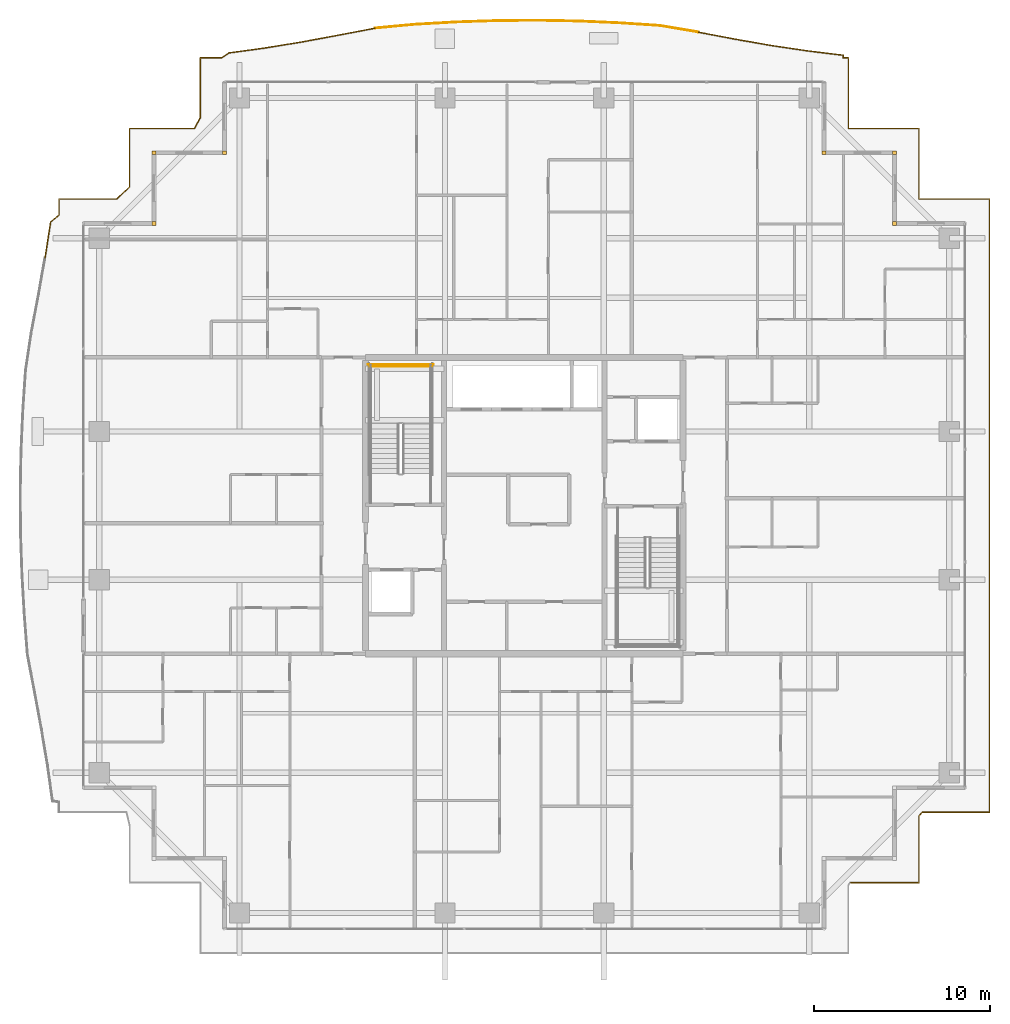
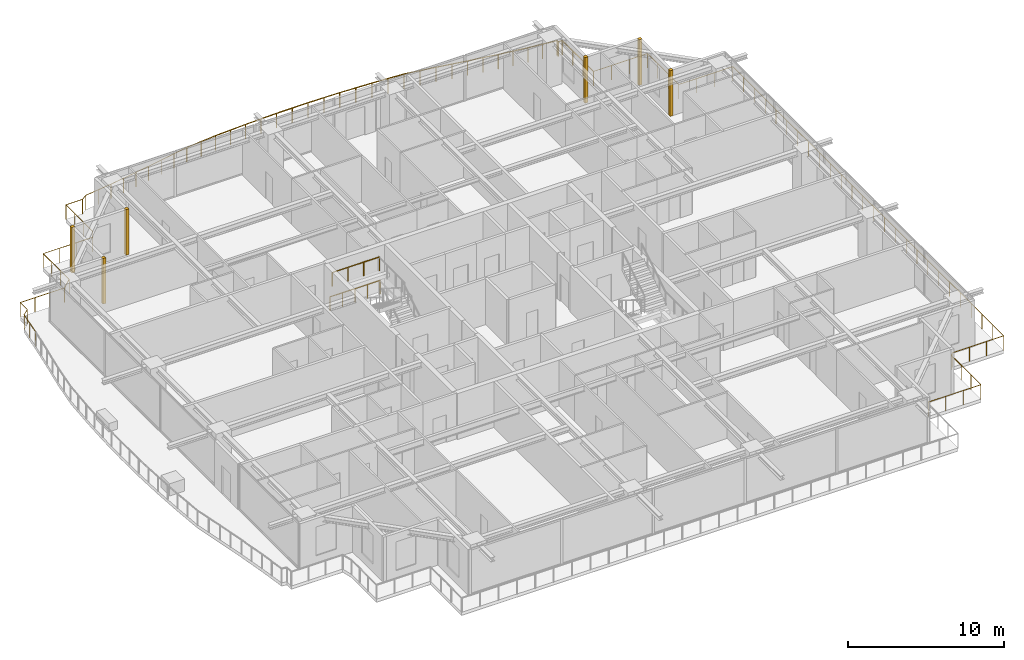
# One storey, part 39 of 39: 7 railings, 6 coverings.
"""IFC4 building model written with IfcOpenShell, lengths in metres."""

from ifc_helpers import new_model, si_unit, direction, frame, origin, origin_2d, place, context, subcontext, project, spatial, rectangle, circle, extrude, source, transform, mapped, material, layer, layer_set, type_object, element, save


model = new_model("IFC4")

# Units and contexts
model_context = context("Model", 3, precision=1e-05, world=origin(), true_north=direction((0.0, 1.0)))
body_context = subcontext(model_context, "Body", "Model", "MODEL_VIEW")
ifc_project = project(units=[si_unit("LENGTHUNIT", "METRE"), si_unit("AREAUNIT", "SQUARE_METRE"), si_unit("VOLUMEUNIT", "CUBIC_METRE"), si_unit("PLANEANGLEUNIT", "RADIAN"), si_unit("MASSUNIT", "GRAM", prefix="KILO")], contexts=[model_context])

# Site, building, storey
site_placement = place(None, origin())
site = spatial("IfcSite", under=ifc_project, at=site_placement, CompositionType="ELEMENT")
building_placement = place(site_placement, origin())
building = spatial("IfcBuilding", under=site, at=building_placement, Name="Serunith Strait Residences", CompositionType="ELEMENT")
storey_placement = place(building_placement, frame((0.0, 0.0, 222.0)))
storey = spatial("IfcBuildingStorey", under=building, at=storey_placement, Name="L55", CompositionType="ELEMENT", Elevation=222.0)

# Railings
ifc_material_1 = material(Name="Stainless Steel & Laminated Glass Balustrade", Category="steel")
railing_type_1 = type_object("IfcRailingType", Name="RLG-BALC-1150", PredefinedType="BALUSTRADE", material=ifc_material_1)
railing_1_placement = place(storey_placement, frame((5.22998046875, 39.23779296875, -0.050048828125)))
element("IfcRailing", 1, at=railing_1_placement, inside=storey, type_object=railing_type_1, Name="L55 Swirling Balcony Perimeter Balustrade 3", PredefinedType="BALUSTRADE", context=body_context, shape_type="SweptSolid", body=[
    extrude(circle(Radius=0.02392578125, at=origin_2d()), frame((0.000244140625, 0.001953125, 1.1259765625), z_axis=(0.151619990776, 0.98843885921, 0.0), x_axis=(-0.98843885921, 0.151619990776, 0.0)), (0.0, 0.0, 1.0), 2.05224609375),
    extrude(circle(Radius=0.02392578125, at=origin_2d()), frame((0.313232421875, 2.03369140625, 1.1259765625), z_axis=(0.765620167845, 0.643292902641, 0.0), x_axis=(-0.643292902641, 0.765620167845, 0.0)), (0.0, 0.0, 1.0), 0.62060546875),
    extrude(circle(Radius=0.02392578125, at=origin_2d()), frame((0.7900390625, 2.436279296875, 1.1259765625), z_axis=(0.0, 1.0, 0.0), x_axis=(-1.0, 0.0, 0.0)), (0.0, 0.0, 1.0), 0.904052734375),
    extrude(circle(Radius=0.02392578125, at=origin_2d()), frame((0.7919921875, 3.34228515625, 1.1259765625), z_axis=(1.0, 0.0, 0.0), x_axis=(0.0, 1.0, 0.0)), (0.0, 0.0, 1.0), 3.2705078125),
    extrude(circle(Radius=0.02392578125, at=origin_2d()), frame((4.06591796875, 3.34375, 1.1259765625), z_axis=(0.73263543365, 0.680621276012, 0.0), x_axis=(-0.680621276012, 0.73263543365, 0.0)), (0.0, 0.0, 1.0), 0.986328125),
    extrude(circle(Radius=0.02392578125, at=origin_2d()), frame((4.7900390625, 4.018310546875, 1.1259765625), z_axis=(0.0, 1.0, 0.0), x_axis=(-1.0, 0.0, 0.0)), (0.0, 0.0, 1.0), 3.322021484375),
    extrude(circle(Radius=0.02392578125, at=origin_2d()), frame((4.7919921875, 7.34228515625, 1.1259765625), z_axis=(1.0, 0.0, 0.0), x_axis=(0.0, 1.0, 0.0)), (0.0, 0.0, 1.0), 3.67236328125),
    extrude(circle(Radius=0.02099609375, at=origin_2d()), origin(), (0.0, 0.0, 1.0), 1.099853515625),
    extrude(circle(Radius=0.02099609375, at=origin_2d()), frame((0.15576171875, 1.01611328125, 0.0)), (0.0, 0.0, 1.0), 1.099853515625),
    extrude(circle(Radius=0.02099609375, at=origin_2d()), frame((0.311767578125, 2.032470703125, 0.0)), (0.0, 0.0, 1.0), 1.099853515625),
    extrude(circle(Radius=0.02099609375, at=origin_2d()), frame((0.7900390625, 2.434326171875, 0.0)), (0.0, 0.0, 1.0), 1.099853515625),
    extrude(circle(Radius=0.02099609375, at=origin_2d()), frame((0.7900390625, 3.34228515625, 0.0)), (0.0, 0.0, 1.0), 1.099853515625),
    extrude(circle(Radius=0.02099609375, at=origin_2d()), frame((1.881591796875, 3.34228515625, 0.0)), (0.0, 0.0, 1.0), 1.099853515625),
    extrude(circle(Radius=0.02099609375, at=origin_2d()), frame((2.972900390625, 3.34228515625, 0.0)), (0.0, 0.0, 1.0), 1.099853515625),
    extrude(circle(Radius=0.02099609375, at=origin_2d()), frame((4.064453125, 3.34228515625, 0.0)), (0.0, 0.0, 1.0), 1.099853515625),
    extrude(circle(Radius=0.02099609375, at=origin_2d()), frame((4.7900390625, 4.016357421875, 0.0)), (0.0, 0.0, 1.0), 1.099853515625),
    extrude(circle(Radius=0.02099609375, at=origin_2d()), frame((4.7900390625, 5.125, 0.0)), (0.0, 0.0, 1.0), 1.099853515625),
    extrude(circle(Radius=0.02099609375, at=origin_2d()), frame((4.7900390625, 6.233642578125, 0.0)), (0.0, 0.0, 1.0), 1.099853515625),
    extrude(circle(Radius=0.02099609375, at=origin_2d()), frame((4.7900390625, 7.34228515625, 0.0)), (0.0, 0.0, 1.0), 1.099853515625),
    extrude(circle(Radius=0.02099609375, at=origin_2d()), frame((6.015380859375, 7.34228515625, 0.0)), (0.0, 0.0, 1.0), 1.099853515625),
    extrude(circle(Radius=0.02099609375, at=origin_2d()), frame((7.240966796875, 7.34228515625, 0.0)), (0.0, 0.0, 1.0), 1.099853515625),
    extrude(circle(Radius=0.02099609375, at=origin_2d()), frame((8.46630859375, 7.34228515625, 0.0)), (0.0, 0.0, 1.0), 1.099853515625),
])
railing_2_placement = place(storey_placement, frame((13.6962890625, 46.580078125, -0.050048828125)))
element("IfcRailing", 2, at=railing_2_placement, inside=storey, type_object=railing_type_1, Name="L55 Swirling Balcony Perimeter Balustrade 4", PredefinedType="BALUSTRADE", context=body_context, shape_type="SweptSolid", body=[
    extrude(circle(Radius=0.02392578125, at=origin_2d()), frame((0.0009765625, 0.001708984375, 1.1259765625), z_axis=(0.484990648615, 0.874519336982, 0.0), x_axis=(-0.874519336982, 0.484990648615, 0.0)), (0.0, 0.0, 1.0), 0.66357421875),
    extrude(circle(Radius=0.02392578125, at=origin_2d()), frame((0.32373046875, 0.585693359375, 1.1259765625), z_axis=(0.0, 1.0, 0.0), x_axis=(-1.0, 0.0, 0.0)), (0.0, 0.0, 1.0), 3.412353515625),
    extrude(circle(Radius=0.02392578125, at=origin_2d()), frame((0.32568359375, 4.0, 1.1259765625), z_axis=(1.0, 0.0, 0.0), x_axis=(0.0, 1.0, 0.0)), (0.0, 0.0, 1.0), 1.217529296875),
    extrude(circle(Radius=0.02392578125, at=origin_2d()), frame((1.546875, 4.001220703125, 1.1259765625), z_axis=(0.821979119686, 0.569517626417, 0.0), x_axis=(-0.569517626417, 0.821979119686, 0.0)), (0.0, 0.0, 1.0), 0.4912109375),
    extrude(circle(Radius=0.02392578125, at=origin_2d()), frame((1.9541015625, 4.2822265625, 1.1259765625), z_axis=(0.990806902466, 0.135283709387, 0.0), x_axis=(-0.135283709387, 0.990806902466, 0.0)), (0.0, 0.0, 1.0), 2.040771484375),
    extrude(circle(Radius=0.02392578125, at=origin_2d()), frame((3.97998046875, 4.558837890625, 1.1259765625), z_axis=(0.986908016279, 0.161284120125, 0.0), x_axis=(-0.161284120125, 0.986908016279, 0.0)), (0.0, 0.0, 1.0), 2.068359375),
    extrude(circle(Radius=0.02392578125, at=origin_2d()), frame((6.025146484375, 4.89306640625, 1.1259765625), z_axis=(0.983439131303, 0.181238723846, 0.0), x_axis=(-0.181238723846, 0.983439131303, 0.0)), (0.0, 0.0, 1.0), 2.113525390625),
    extrude(circle(Radius=0.02392578125, at=origin_2d()), frame((8.107666015625, 5.277099609375, 1.1259765625), z_axis=(0.982184246613, 0.187920477076, 0.0), x_axis=(-0.187920477076, 0.982184246613, 0.0)), (0.0, 0.0, 1.0), 2.1748046875),
    extrude(circle(Radius=0.02099609375, at=origin_2d()), origin(), (0.0, 0.0, 1.0), 1.099853515625),
    extrude(circle(Radius=0.02099609375, at=origin_2d()), frame((0.32373046875, 0.583740234375, 0.0)), (0.0, 0.0, 1.0), 1.099853515625),
    extrude(circle(Radius=0.02099609375, at=origin_2d()), frame((0.32373046875, 1.722412109375, 0.0)), (0.0, 0.0, 1.0), 1.099853515625),
    extrude(circle(Radius=0.02099609375, at=origin_2d()), frame((0.32373046875, 2.861328125, 0.0)), (0.0, 0.0, 1.0), 1.099853515625),
    extrude(circle(Radius=0.02099609375, at=origin_2d()), frame((0.32373046875, 4.0, 0.0)), (0.0, 0.0, 1.0), 1.099853515625),
    extrude(circle(Radius=0.02099609375, at=origin_2d()), frame((1.545166015625, 4.0, 0.0)), (0.0, 0.0, 1.0), 1.099853515625),
    extrude(circle(Radius=0.02099609375, at=origin_2d()), frame((1.9521484375, 4.281982421875, 0.0)), (0.0, 0.0, 1.0), 1.099853515625),
    extrude(circle(Radius=0.02099609375, at=origin_2d()), frame((2.965087890625, 4.42041015625, 0.0)), (0.0, 0.0, 1.0), 1.099853515625),
    extrude(circle(Radius=0.02099609375, at=origin_2d()), frame((3.97802734375, 4.55859375, 0.0)), (0.0, 0.0, 1.0), 1.099853515625),
    extrude(circle(Radius=0.02099609375, at=origin_2d()), frame((5.00048828125, 4.7255859375, 0.0)), (0.0, 0.0, 1.0), 1.099853515625),
    extrude(circle(Radius=0.02099609375, at=origin_2d()), frame((6.023193359375, 4.892822265625, 0.0)), (0.0, 0.0, 1.0), 1.099853515625),
    extrude(circle(Radius=0.02099609375, at=origin_2d()), frame((7.064453125, 5.084716796875, 0.0)), (0.0, 0.0, 1.0), 1.099853515625),
    extrude(circle(Radius=0.02099609375, at=origin_2d()), frame((8.105712890625, 5.276611328125, 0.0)), (0.0, 0.0, 1.0), 1.099853515625),
    extrude(circle(Radius=0.02099609375, at=origin_2d()), frame((9.17578125, 5.4814453125, 0.0)), (0.0, 0.0, 1.0), 1.099853515625),
    extrude(circle(Radius=0.02099609375, at=origin_2d()), frame((10.24560546875, 5.68603515625, 0.0)), (0.0, 0.0, 1.0), 1.099853515625),
])
railing_3_placement = place(storey_placement, frame((23.94189453125, 52.26611328125, -0.050048828125)))
element("IfcRailing", 3, at=railing_3_placement, inside=storey, type_object=railing_type_1, Name="L55 Swirling Balcony Perimeter Balustrade 5", PredefinedType="BALUSTRADE", context=body_context, shape_type="SweptSolid", body=[
    extrude(circle(Radius=0.02392578125, at=origin_2d()), frame((0.001953125, 0.000244140625, 1.1259765625), z_axis=(0.995732605579, 0.092285308616, 0.0), x_axis=(-0.092285308616, 0.995732605579, 0.0)), (0.0, 0.0, 1.0), 2.260498046875),
    extrude(circle(Radius=0.02392578125, at=origin_2d()), frame((2.2568359375, 0.208984375, 1.1259765625), z_axis=(0.998375468078, 0.056977405519, 0.0), x_axis=(-0.056977405519, 0.998375468078, 0.0)), (0.0, 0.0, 1.0), 2.30126953125),
    extrude(circle(Radius=0.02392578125, at=origin_2d()), frame((4.558349609375, 0.34033203125, 1.1259765625), z_axis=(0.999426247992, 0.033869969374, 0.0), x_axis=(-0.033869969374, 0.999426247992, 0.0)), (0.0, 0.0, 1.0), 2.32421875),
    extrude(circle(Radius=0.02392578125, at=origin_2d()), frame((6.88525390625, 0.419189453125, 1.1259765625), z_axis=(0.999967700233, 0.008037318676, 0.0), x_axis=(-0.008037318676, 0.999967700233, 0.0)), (0.0, 0.0, 1.0), 2.3349609375),
    extrude(circle(Radius=0.02392578125, at=origin_2d()), frame((9.22412109375, 0.43798828125, 1.1259765625), z_axis=(0.999824864715, -0.018714697353, 0.0), x_axis=(0.018714697353, 0.999824864715, 0.0)), (0.0, 0.0, 1.0), 2.3310546875),
    extrude(circle(Radius=0.02392578125, at=origin_2d()), frame((11.558837890625, 0.394287109375, 1.1259765625), z_axis=(0.999025914925, -0.04412733063, 0.0), x_axis=(0.04412733063, 0.999025914925, 0.0)), (0.0, 0.0, 1.0), 2.314208984375),
    extrude(circle(Radius=0.02392578125, at=origin_2d()), frame((13.874755859375, 0.291748046875, 1.1259765625), z_axis=(0.997811971728, -0.066115573632, 0.0), x_axis=(0.066115573632, 0.997811971728, 0.0)), (0.0, 0.0, 1.0), 2.285400390625),
    extrude(circle(Radius=0.02392578125, at=origin_2d()), frame((16.1591796875, 0.140380859375, 1.1259765625), z_axis=(0.986006040396, -0.166709592712, 0.0), x_axis=(0.166709592712, 0.986006040396, 0.0)), (0.0, 0.0, 1.0), 2.205810546875),
    extrude(circle(Radius=0.02099609375, at=origin_2d()), origin(), (0.0, 0.0, 1.0), 1.099853515625),
    extrude(circle(Radius=0.02099609375, at=origin_2d()), frame((1.12744140625, 0.1044921875, 0.0)), (0.0, 0.0, 1.0), 1.099853515625),
    extrude(circle(Radius=0.02099609375, at=origin_2d()), frame((2.2548828125, 0.208984375, 0.0)), (0.0, 0.0, 1.0), 1.099853515625),
    extrude(circle(Radius=0.02099609375, at=origin_2d()), frame((3.40576171875, 0.274658203125, 0.0)), (0.0, 0.0, 1.0), 1.099853515625),
    extrude(circle(Radius=0.02099609375, at=origin_2d()), frame((4.556396484375, 0.34033203125, 0.0)), (0.0, 0.0, 1.0), 1.099853515625),
    extrude(circle(Radius=0.02099609375, at=origin_2d()), frame((5.7197265625, 0.3798828125, 0.0)), (0.0, 0.0, 1.0), 1.099853515625),
    extrude(circle(Radius=0.02099609375, at=origin_2d()), frame((6.88330078125, 0.419189453125, 0.0)), (0.0, 0.0, 1.0), 1.099853515625),
    extrude(circle(Radius=0.02099609375, at=origin_2d()), frame((8.052734375, 0.4287109375, 0.0)), (0.0, 0.0, 1.0), 1.099853515625),
    extrude(circle(Radius=0.02099609375, at=origin_2d()), frame((9.22216796875, 0.43798828125, 0.0)), (0.0, 0.0, 1.0), 1.099853515625),
    extrude(circle(Radius=0.02099609375, at=origin_2d()), frame((10.3896484375, 0.416015625, 0.0)), (0.0, 0.0, 1.0), 1.099853515625),
    extrude(circle(Radius=0.02099609375, at=origin_2d()), frame((11.556884765625, 0.394287109375, 0.0)), (0.0, 0.0, 1.0), 1.099853515625),
    extrude(circle(Radius=0.02099609375, at=origin_2d()), frame((12.71484375, 0.34326171875, 0.0)), (0.0, 0.0, 1.0), 1.099853515625),
    extrude(circle(Radius=0.02099609375, at=origin_2d()), frame((13.872802734375, 0.2919921875, 0.0)), (0.0, 0.0, 1.0), 1.099853515625),
    extrude(circle(Radius=0.02099609375, at=origin_2d()), frame((15.01513671875, 0.21630859375, 0.0)), (0.0, 0.0, 1.0), 1.099853515625),
    extrude(circle(Radius=0.02099609375, at=origin_2d()), frame((16.1572265625, 0.140625, 0.0)), (0.0, 0.0, 1.0), 1.099853515625),
    extrude(circle(Radius=0.02099609375, at=origin_2d()), frame((17.24658203125, -0.04345703125, 0.0)), (0.0, 0.0, 1.0), 1.099853515625),
    extrude(circle(Radius=0.02099609375, at=origin_2d()), frame((18.336181640625, -0.227783203125, 0.0)), (0.0, 0.0, 1.0), 1.099853515625),
])
railing_4_placement = place(storey_placement, frame((42.278076171875, 52.038330078125, -0.050048828125)))
element("IfcRailing", 4, at=railing_4_placement, inside=storey, type_object=railing_type_1, Name="L55 Swirling Balcony Perimeter Balustrade 6", PredefinedType="BALUSTRADE", context=body_context, shape_type="SweptSolid", body=[
    extrude(circle(Radius=0.02392578125, at=origin_2d()), frame((0.001953125, -0.00048828125, 1.1259765625), z_axis=(0.982355541245, -0.187022968068, 0.0), x_axis=(0.187022968068, 0.982355541245, 0.0)), (0.0, 0.0, 1.0), 2.135498046875),
    extrude(circle(Radius=0.02392578125, at=origin_2d()), frame((2.103759765625, -0.400390625, 1.1259765625), z_axis=(0.985123187896, -0.171849657169, 0.0), x_axis=(0.171849657169, 0.985123187896, 0.0)), (0.0, 0.0, 1.0), 2.0830078125),
    extrude(circle(Radius=0.02392578125, at=origin_2d()), frame((4.15966796875, -0.759033203125, 1.1259765625), z_axis=(0.989062503974, -0.147496993978, 0.0), x_axis=(0.147496993978, 0.989062503974, 0.0)), (0.0, 0.0, 1.0), 2.048583984375),
    extrude(circle(Radius=0.02392578125, at=origin_2d()), frame((6.189697265625, -1.061767578125, 1.1259765625), z_axis=(0.992741600687, -0.120266846075, 0.0), x_axis=(0.120266846075, 0.992741600687, 0.0)), (0.0, 0.0, 1.0), 2.030029296875),
    extrude(circle(Radius=0.02392578125, at=origin_2d()), frame((8.20703125, -1.30810546875, 1.1259765625), z_axis=(-0.008025423722, -0.999967795768, 0.0), x_axis=(0.999967795768, -0.008025423722, 0.0)), (0.0, 0.0, 1.0), 0.148193359375),
    extrude(circle(Radius=0.02392578125, at=origin_2d()), frame((8.207763671875, -1.458251953125, 1.1259765625), z_axis=(1.0, 0.0, 0.0), x_axis=(0.0, 1.0, 0.0)), (0.0, 0.0, 1.0), 0.292236328125),
    extrude(circle(Radius=0.02392578125, at=origin_2d()), frame((8.501953125, -1.460205078125, 1.1259765625), z_axis=(0.0, -1.0, 0.0), x_axis=(1.0, 0.0, 0.0)), (0.0, 0.0, 1.0), 3.99609375),
    extrude(circle(Radius=0.02099609375, at=origin_2d()), origin(), (0.0, 0.0, 1.0), 1.099853515625),
    extrude(circle(Radius=0.02099609375, at=origin_2d()), frame((1.05078125, -0.2001953125, 0.0)), (0.0, 0.0, 1.0), 1.099853515625),
    extrude(circle(Radius=0.02099609375, at=origin_2d()), frame((2.101806640625, -0.400146484375, 0.0)), (0.0, 0.0, 1.0), 1.099853515625),
    extrude(circle(Radius=0.02099609375, at=origin_2d()), frame((3.1298828125, -0.57958984375, 0.0)), (0.0, 0.0, 1.0), 1.099853515625),
    extrude(circle(Radius=0.02099609375, at=origin_2d()), frame((4.15771484375, -0.7587890625, 0.0)), (0.0, 0.0, 1.0), 1.099853515625),
    extrude(circle(Radius=0.02099609375, at=origin_2d()), frame((5.1728515625, -0.91015625, 0.0)), (0.0, 0.0, 1.0), 1.099853515625),
    extrude(circle(Radius=0.02099609375, at=origin_2d()), frame((6.187744140625, -1.0615234375, 0.0)), (0.0, 0.0, 1.0), 1.099853515625),
    extrude(circle(Radius=0.02099609375, at=origin_2d()), frame((7.197265625, -1.183837890625, 0.0)), (0.0, 0.0, 1.0), 1.099853515625),
    extrude(circle(Radius=0.02099609375, at=origin_2d()), frame((8.20703125, -1.30615234375, 0.0)), (0.0, 0.0, 1.0), 1.099853515625),
    extrude(circle(Radius=0.02099609375, at=origin_2d()), frame((8.205810546875, -1.458251953125, 0.0)), (0.0, 0.0, 1.0), 1.099853515625),
    extrude(circle(Radius=0.02099609375, at=origin_2d()), frame((8.501953125, -1.458251953125, 0.0)), (0.0, 0.0, 1.0), 1.099853515625),
    extrude(circle(Radius=0.02099609375, at=origin_2d()), frame((8.501953125, -2.79150390625, 0.0)), (0.0, 0.0, 1.0), 1.099853515625),
    extrude(circle(Radius=0.02099609375, at=origin_2d()), frame((8.501953125, -4.125, 0.0)), (0.0, 0.0, 1.0), 1.099853515625),
    extrude(circle(Radius=0.02099609375, at=origin_2d()), frame((8.501953125, -5.458251953125, 0.0)), (0.0, 0.0, 1.0), 1.099853515625),
])
railing_5_placement = place(storey_placement, frame((50.780029296875, 46.580078125, -0.050048828125)))
element("IfcRailing", 5, at=railing_5_placement, inside=storey, type_object=railing_type_1, Name="L55 Swirling Balcony Perimeter Balustrade 7", PredefinedType="BALUSTRADE", context=body_context, shape_type="SweptSolid", body=[
    extrude(circle(Radius=0.02392578125, at=origin_2d()), frame((0.001953125, 0.0, 1.1259765625), z_axis=(1.0, 0.0, 0.0), x_axis=(0.0, 1.0, 0.0)), (0.0, 0.0, 1.0), 3.99609375),
    extrude(circle(Radius=0.02392578125, at=origin_2d()), frame((4.0, -0.001953125, 1.1259765625), z_axis=(0.0, -1.0, 0.0), x_axis=(1.0, 0.0, 0.0)), (0.0, 0.0, 1.0), 3.99609375),
    extrude(circle(Radius=0.02392578125, at=origin_2d()), frame((4.001953125, -4.0, 1.1259765625), z_axis=(1.0, 0.0, 0.0), x_axis=(0.0, 1.0, 0.0)), (0.0, 0.0, 1.0), 3.99609375),
    extrude(circle(Radius=0.02392578125, at=origin_2d()), frame((8.0, -4.001953125, 1.1259765625), z_axis=(0.0, -1.0, 0.0), x_axis=(1.0, 0.0, 0.0)), (0.0, 0.0, 1.0), 34.756103515625),
    extrude(circle(Radius=0.02392578125, at=origin_2d()), frame((7.998046875, -38.760009765625, 1.1259765625), z_axis=(-1.0, 0.0, 0.0), x_axis=(0.0, -1.0, 0.0)), (0.0, 0.0, 1.0), 3.801025390625),
    extrude(circle(Radius=0.02392578125, at=origin_2d()), frame((4.19384765625, -38.761474609375, 1.1259765625), z_axis=(-0.659789800433, -0.751450210756, 0.0), x_axis=(0.751450210756, -0.659789800433, 0.0)), (0.0, 0.0, 1.0), 0.291748046875),
    extrude(circle(Radius=0.02392578125, at=origin_2d()), frame((4.0, -38.984130859375, 1.1259765625), z_axis=(0.0, -1.0, 0.0), x_axis=(1.0, 0.0, 0.0)), (0.0, 0.0, 1.0), 3.77392578125),
    extrude(circle(Radius=0.02392578125, at=origin_2d()), frame((3.998046875, -42.760009765625, 1.1259765625), z_axis=(-1.0, 0.0, 0.0), x_axis=(0.0, -1.0, 0.0)), (0.0, 0.0, 1.0), 3.89501953125),
    extrude(circle(Radius=0.02099609375, at=origin_2d()), origin(), (0.0, 0.0, 1.0), 1.099853515625),
    extrude(circle(Radius=0.02099609375, at=origin_2d()), frame((1.333251953125, 0.0, 0.0)), (0.0, 0.0, 1.0), 1.099853515625),
    extrude(circle(Radius=0.02099609375, at=origin_2d()), frame((2.666748046875, 0.0, 0.0)), (0.0, 0.0, 1.0), 1.099853515625),
    extrude(circle(Radius=0.02099609375, at=origin_2d()), frame((4.0, 0.0, 0.0)), (0.0, 0.0, 1.0), 1.099853515625),
    extrude(circle(Radius=0.02099609375, at=origin_2d()), frame((4.0, -1.333251953125, 0.0)), (0.0, 0.0, 1.0), 1.099853515625),
    extrude(circle(Radius=0.02099609375, at=origin_2d()), frame((4.0, -2.666748046875, 0.0)), (0.0, 0.0, 1.0), 1.099853515625),
    extrude(circle(Radius=0.02099609375, at=origin_2d()), frame((4.0, -4.0, 0.0)), (0.0, 0.0, 1.0), 1.099853515625),
    extrude(circle(Radius=0.02099609375, at=origin_2d()), frame((5.333251953125, -4.0, 0.0)), (0.0, 0.0, 1.0), 1.099853515625),
    extrude(circle(Radius=0.02099609375, at=origin_2d()), frame((6.666748046875, -4.0, 0.0)), (0.0, 0.0, 1.0), 1.099853515625),
    extrude(circle(Radius=0.02099609375, at=origin_2d()), frame((8.0, -4.0, 0.0)), (0.0, 0.0, 1.0), 1.099853515625),
    extrude(circle(Radius=0.02099609375, at=origin_2d()), frame((8.0, -5.390380859375, 0.0)), (0.0, 0.0, 1.0), 1.099853515625),
    extrude(circle(Radius=0.02099609375, at=origin_2d()), frame((8.0, -6.78076171875, 0.0)), (0.0, 0.0, 1.0), 1.099853515625),
    extrude(circle(Radius=0.02099609375, at=origin_2d()), frame((8.0, -8.171142578125, 0.0)), (0.0, 0.0, 1.0), 1.099853515625),
    extrude(circle(Radius=0.02099609375, at=origin_2d()), frame((8.0, -9.5615234375, 0.0)), (0.0, 0.0, 1.0), 1.099853515625),
    extrude(circle(Radius=0.02099609375, at=origin_2d()), frame((8.0, -10.951904296875, 0.0)), (0.0, 0.0, 1.0), 1.099853515625),
    extrude(circle(Radius=0.02099609375, at=origin_2d()), frame((8.0, -12.34228515625, 0.0)), (0.0, 0.0, 1.0), 1.099853515625),
    extrude(circle(Radius=0.02099609375, at=origin_2d()), frame((8.0, -13.73291015625, 0.0)), (0.0, 0.0, 1.0), 1.099853515625),
    extrude(circle(Radius=0.02099609375, at=origin_2d()), frame((8.0, -15.123291015625, 0.0)), (0.0, 0.0, 1.0), 1.099853515625),
    extrude(circle(Radius=0.02099609375, at=origin_2d()), frame((8.0, -16.513671875, 0.0)), (0.0, 0.0, 1.0), 1.099853515625),
    extrude(circle(Radius=0.02099609375, at=origin_2d()), frame((8.0, -17.904052734375, 0.0)), (0.0, 0.0, 1.0), 1.099853515625),
    extrude(circle(Radius=0.02099609375, at=origin_2d()), frame((8.0, -19.29443359375, 0.0)), (0.0, 0.0, 1.0), 1.099853515625),
    extrude(circle(Radius=0.02099609375, at=origin_2d()), frame((8.0, -20.684814453125, 0.0)), (0.0, 0.0, 1.0), 1.099853515625),
    extrude(circle(Radius=0.02099609375, at=origin_2d()), frame((8.0, -22.0751953125, 0.0)), (0.0, 0.0, 1.0), 1.099853515625),
    extrude(circle(Radius=0.02099609375, at=origin_2d()), frame((8.0, -23.465576171875, 0.0)), (0.0, 0.0, 1.0), 1.099853515625),
    extrude(circle(Radius=0.02099609375, at=origin_2d()), frame((8.0, -24.85595703125, 0.0)), (0.0, 0.0, 1.0), 1.099853515625),
    extrude(circle(Radius=0.02099609375, at=origin_2d()), frame((8.0, -26.246337890625, 0.0)), (0.0, 0.0, 1.0), 1.099853515625),
    extrude(circle(Radius=0.02099609375, at=origin_2d()), frame((8.0, -27.63671875, 0.0)), (0.0, 0.0, 1.0), 1.099853515625),
    extrude(circle(Radius=0.02099609375, at=origin_2d()), frame((8.0, -29.027099609375, 0.0)), (0.0, 0.0, 1.0), 1.099853515625),
    extrude(circle(Radius=0.02099609375, at=origin_2d()), frame((8.0, -30.417724609375, 0.0)), (0.0, 0.0, 1.0), 1.099853515625),
    extrude(circle(Radius=0.02099609375, at=origin_2d()), frame((8.0, -31.80810546875, 0.0)), (0.0, 0.0, 1.0), 1.099853515625),
    extrude(circle(Radius=0.02099609375, at=origin_2d()), frame((8.0, -33.198486328125, 0.0)), (0.0, 0.0, 1.0), 1.099853515625),
    extrude(circle(Radius=0.02099609375, at=origin_2d()), frame((8.0, -34.5888671875, 0.0)), (0.0, 0.0, 1.0), 1.099853515625),
    extrude(circle(Radius=0.02099609375, at=origin_2d()), frame((8.0, -35.979248046875, 0.0)), (0.0, 0.0, 1.0), 1.099853515625),
    extrude(circle(Radius=0.02099609375, at=origin_2d()), frame((8.0, -37.36962890625, 0.0)), (0.0, 0.0, 1.0), 1.099853515625),
    extrude(circle(Radius=0.02099609375, at=origin_2d()), frame((8.0, -38.760009765625, 0.0)), (0.0, 0.0, 1.0), 1.099853515625),
    extrude(circle(Radius=0.02099609375, at=origin_2d()), frame((6.731689453125, -38.760009765625, 0.0)), (0.0, 0.0, 1.0), 1.099853515625),
    extrude(circle(Radius=0.02099609375, at=origin_2d()), frame((5.46337890625, -38.760009765625, 0.0)), (0.0, 0.0, 1.0), 1.099853515625),
    extrude(circle(Radius=0.02099609375, at=origin_2d()), frame((4.195068359375, -38.760009765625, 0.0)), (0.0, 0.0, 1.0), 1.099853515625),
    extrude(circle(Radius=0.02099609375, at=origin_2d()), frame((4.0, -38.982177734375, 0.0)), (0.0, 0.0, 1.0), 1.099853515625),
    extrude(circle(Radius=0.02099609375, at=origin_2d()), frame((4.0, -40.241455078125, 0.0)), (0.0, 0.0, 1.0), 1.099853515625),
    extrude(circle(Radius=0.02099609375, at=origin_2d()), frame((4.0, -41.500732421875, 0.0)), (0.0, 0.0, 1.0), 1.099853515625),
    extrude(circle(Radius=0.02099609375, at=origin_2d()), frame((4.0, -42.760009765625, 0.0)), (0.0, 0.0, 1.0), 1.099853515625),
    extrude(circle(Radius=0.02099609375, at=origin_2d()), frame((2.700439453125, -42.760009765625, 0.0)), (0.0, 0.0, 1.0), 1.099853515625),
    extrude(circle(Radius=0.02099609375, at=origin_2d()), frame((1.400634765625, -42.760009765625, 0.0)), (0.0, 0.0, 1.0), 1.099853515625),
    extrude(circle(Radius=0.02099609375, at=origin_2d()), frame((0.10107421875, -42.760009765625, 0.0)), (0.0, 0.0, 1.0), 1.099853515625),
])
ifc_material_2 = material(Name="Brushed stainless steel 316L", Category="steel")
railing_type_2 = type_object("IfcRailingType", Name="RLG-STAIR-GUARD", PredefinedType="BALUSTRADE", material=ifc_material_2)
railing_6_placement = place(storey_placement, frame((27.14990234375, 33.10009765625, 1.925048828125)))
element("IfcRailing", 6, at=railing_6_placement, inside=storey, type_object=railing_type_2, Name="L55 ST-1 stair guard 5", PredefinedType="BALUSTRADE", context=body_context, shape_type="SweptSolid", body=[
    extrude(circle(Radius=0.02392578125, at=origin_2d()), frame((-0.001953125, 0.0, 1.076171875), z_axis=(-1.0, 0.0, 0.0), x_axis=(0.0, -1.0, 0.0)), (0.0, 0.0, 1.0), 3.49609375),
    extrude(circle(Radius=0.02099609375, at=origin_2d()), origin(), (0.0, 0.0, 1.0), 1.050048828125),
    extrude(circle(Radius=0.02099609375, at=origin_2d()), frame((-1.166748046875, 0.0, 0.0)), (0.0, 0.0, 1.0), 1.050048828125),
    extrude(circle(Radius=0.02099609375, at=origin_2d()), frame((-2.333251953125, 0.0, 0.0)), (0.0, 0.0, 1.0), 1.050048828125),
    extrude(circle(Radius=0.02099609375, at=origin_2d()), frame((-3.5, 0.0, 0.0)), (0.0, 0.0, 1.0), 1.050048828125),
])
railing_7_placement = place(storey_placement, frame((27.25, 33.199951171875, 0.0)))
element("IfcRailing", 7, at=railing_7_placement, inside=storey, type_object=railing_type_2, Name="L55 ST-1 stair guard 12", PredefinedType="BALUSTRADE", context=body_context, shape_type="SweptSolid", body=[
    extrude(circle(Radius=0.02392578125, at=origin_2d()), frame((-0.001953125, 0.0, 1.076171875), z_axis=(-1.0, 0.0, 0.0), x_axis=(0.0, -1.0, 0.0)), (0.0, 0.0, 1.0), 3.696044921875),
    extrude(circle(Radius=0.02099609375, at=origin_2d()), origin(), (0.0, 0.0, 1.0), 1.050048828125),
    extrude(circle(Radius=0.02099609375, at=origin_2d()), frame((-0.925048828125, 0.0, 0.0)), (0.0, 0.0, 1.0), 1.050048828125),
    extrude(circle(Radius=0.02099609375, at=origin_2d()), frame((-1.85009765625, 0.0, 0.0)), (0.0, 0.0, 1.0), 1.050048828125),
    extrude(circle(Radius=0.02099609375, at=origin_2d()), frame((-2.77490234375, 0.0, 0.0)), (0.0, 0.0, 1.0), 1.050048828125),
    extrude(circle(Radius=0.02099609375, at=origin_2d()), frame((-3.699951171875, 0.0, 0.0)), (0.0, 0.0, 1.0), 1.050048828125),
])

# Coverings
ifc_material_3 = material(Name="Pale-Champagne Anodised Aluminium", Category="aluminium")
ifc_layer = layer(ifc_material_3, 0.219970703125, Name="Pale-Champagne Anodised Aluminium")
ifc_layer_set = layer_set([ifc_layer], Name="Pale-Champagne Anodised Aluminium")
covering_type = type_object("IfcCoveringType", Name="COV-CORN-TRIM", PredefinedType="CLADDING", material=ifc_layer_set)
shared_shape = source(origin(), body_context, "Body", "SweptSolid", [
    extrude(rectangle(XDim=0.221923828125, YDim=0.221923828125, at=origin_2d()), origin(), (0.0, 0.0, 1.0), 3.574951171875),
])
for number, where, z_axis, x_axis, name in (
    (8, (53.39990234375, 41.199951171875, 0.0), (0.0, 0.0, 1.0), (1.0, 0.0, 0.0), "L55 Girih Serrated Corner Trim Post 07"),
    (9, (53.39990234375, 45.199951171875, 0.0), (0.0, 0.0, 1.0), (1.0, 0.0, 0.0), "L55 Girih Serrated Corner Trim Post 08"),
    (10, (49.39990234375, 45.199951171875, 0.0), (0.0, 0.0, 1.0), (1.0, 0.0, 0.0), "L55 Girih Serrated Corner Trim Post 09"),
    (11, (15.39990234375, 45.199951171875, 0.0), (0.0, 0.0, 1.0), (1.0, 0.0, 0.0), "L55 Girih Serrated Corner Trim Post 12"),
    (12, (11.39990234375, 45.199951171875, 0.0), (0.0, 0.0, 1.0), (1.0, 0.0, 0.0), "L55 Girih Serrated Corner Trim Post 13"),
    (13, (11.39990234375, 41.199951171875, 0.0), (0.0, 0.0, 1.0), (1.0, 0.0, 0.0), "L55 Girih Serrated Corner Trim Post 14"),
):
    element("IfcCovering", number, at=place(storey_placement, frame(where, z_axis=z_axis, x_axis=x_axis)), inside=storey, type_object=covering_type, Name=name, PredefinedType="CLADDING", context=body_context, shape_type="MappedRepresentation", body=[
        mapped(shared_shape, transform((0.0, 0.0, 0.0), scale=1.0)),
    ])

save(model, "model.ifc")
